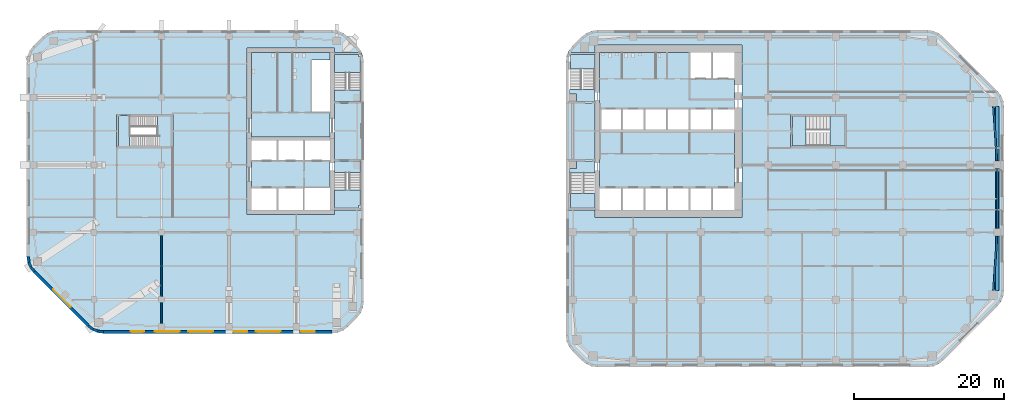
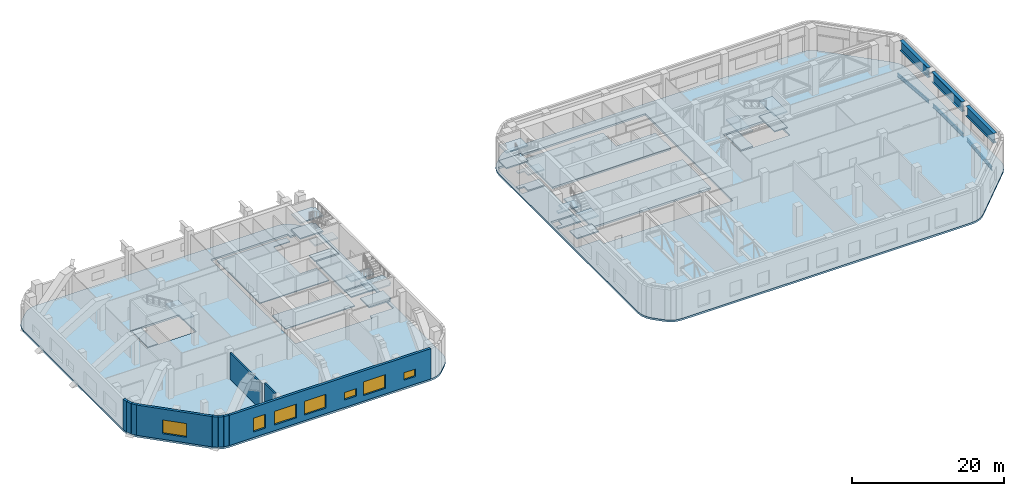
# One storey, part 11 of 23: 28 slabs, 10 walls, 7 windows, 6 beams, 7 openings, 6 elements without a shape of their own.
"""IFC4 building model written with IfcOpenShell, lengths in metres."""

from ifc_helpers import new_model, si_unit, direction, frame, frame_2d, origin, origin_2d, place, context, subcontext, project, spatial, polyline, rectangle, i_section, outline, extrude, material, layer, layer_set, material_profile, profile_set, type_object, element, fill, aggregate, save


model = new_model("IFC4")

# Units and contexts
model_context = context("Model", 3, precision=1e-05, world=origin(), true_north=direction((0.0, 1.0)))
body_context = subcontext(model_context, "Body", "Model", "MODEL_VIEW")
ifc_project = project(units=[si_unit("LENGTHUNIT", "METRE"), si_unit("AREAUNIT", "SQUARE_METRE"), si_unit("VOLUMEUNIT", "CUBIC_METRE"), si_unit("PLANEANGLEUNIT", "RADIAN"), si_unit("MASSUNIT", "GRAM", prefix="KILO")], contexts=[model_context])

# Site, building, storey
site_placement = place(None, origin())
site = spatial("IfcSite", under=ifc_project, at=site_placement, CompositionType="ELEMENT")
building_placement = place(site_placement, origin())
building = spatial("IfcBuilding", under=site, at=building_placement, Name="Cinnabar Reach Civic Tower", CompositionType="ELEMENT")
storey_placement = place(building_placement, frame((0.0, 0.0, 46.0)))
storey = spatial("IfcBuildingStorey", under=building, at=storey_placement, Name="L10", CompositionType="ELEMENT", Elevation=46.0)

# Beams
ifc_material_1 = material(Name="Steel Q355B", Category="steel")
ifc_material_profile_1 = material_profile(ifc_material_1, i_section(OverallWidth=0.5, OverallDepth=1.6, WebThickness=0.025, FlangeThickness=0.04, at=origin_2d()), Name="BH1600x500x25x40")
ifc_profile_set_1 = profile_set([ifc_material_profile_1], Name="Steel Q355B")
beam_type_1 = type_object("IfcBeamType", Name="BELT BH1600x500x25x40 R 240", PredefinedType="BEAM", material=ifc_profile_set_1)
beam_1_placement = place(storey_placement, frame((57.6, 34.7961, 4.05), z_axis=(0.0, -1.0, 0.0), x_axis=(1.0, 0.0, 0.0)))
element("IfcBeam", 1, at=beam_1_placement, inside=storey, type_object=beam_type_1, Name="BELT girder T1-L10-BG", PredefinedType="BEAM", context=body_context, shape_type="SweptSolid", body=[
    extrude(i_section(OverallWidth=0.5, OverallDepth=1.6, WebThickness=0.025, FlangeThickness=0.04, at=origin_2d()), origin(), (0.0, 0.0, 1.0), 7.2941),
])
beam_2_placement = place(storey_placement, frame((57.6, 26.498, 4.05), z_axis=(0.0, -1.0, 0.0), x_axis=(1.0, 0.0, 0.0)))
element("IfcBeam", 2, at=beam_2_placement, inside=storey, type_object=beam_type_1, Name="BELT girder T1-L10-BG", PredefinedType="BEAM", context=body_context, shape_type="SweptSolid", body=[
    extrude(i_section(OverallWidth=0.5, OverallDepth=1.6, WebThickness=0.025, FlangeThickness=0.04, at=origin_2d()), origin(), (0.0, 0.0, 1.0), 7.996),
])
beam_3_placement = place(storey_placement, frame((57.6, 17.498, 4.05), z_axis=(0.0, -1.0, 0.0), x_axis=(1.0, 0.0, 0.0)))
element("IfcBeam", 3, at=beam_3_placement, inside=storey, type_object=beam_type_1, Name="BELT girder T1-L10-BG", PredefinedType="BEAM", context=body_context, shape_type="SweptSolid", body=[
    extrude(i_section(OverallWidth=0.5, OverallDepth=1.6, WebThickness=0.025, FlangeThickness=0.04, at=origin_2d()), origin(), (0.0, 0.0, 1.0), 7.2941),
])
ifc_material_profile_2 = material_profile(ifc_material_1, i_section(OverallWidth=0.2, OverallDepth=0.6, WebThickness=0.011, FlangeThickness=0.017, FilletRadius=0.016, at=origin_2d()), Name="HN600x200x11x17")
ifc_profile_set_2 = profile_set([ifc_material_profile_2], Name="Steel Q355B")
beam_type_2 = type_object("IfcBeamType", Name="HN600x200x11x17 beam R 180", PredefinedType="BEAM", material=ifc_profile_set_2)
beam_4_placement = place(storey_placement, frame((57.0786, 10.0839, -0.6), z_axis=(0.065718615968, 0.997838195057, 0.0), x_axis=(-0.997838195057, 0.065718615968, 0.0)))
element("IfcBeam", 4, at=beam_4_placement, inside=storey, type_object=beam_type_2, Name="Edge beam T1 L10 9", PredefinedType="BEAM", context=body_context, shape_type="SweptSolid", body=[
    extrude(i_section(OverallWidth=0.2, OverallDepth=0.6, WebThickness=0.011, FlangeThickness=0.017, FilletRadius=0.016, at=origin_2d()), origin(), (0.0, 0.0, 1.0), 7.4302),
])
beam_5_placement = place(storey_placement, frame((57.6, 18.502, -0.6), z_axis=(0.0, 1.0, 0.0), x_axis=(-1.0, 0.0, 0.0)))
element("IfcBeam", 5, at=beam_5_placement, inside=storey, type_object=beam_type_2, Name="Edge beam T1 L10 10", PredefinedType="BEAM", context=body_context, shape_type="SweptSolid", body=[
    extrude(i_section(OverallWidth=0.2, OverallDepth=0.6, WebThickness=0.011, FlangeThickness=0.017, FilletRadius=0.016, at=origin_2d()), origin(), (0.0, 0.0, 1.0), 7.996),
])
beam_6_placement = place(storey_placement, frame((57.5669, 27.502, -0.6), z_axis=(-0.065718615968, 0.997838195057, 0.0), x_axis=(-0.997838195057, -0.065718615968, 0.0)))
element("IfcBeam", 6, at=beam_6_placement, inside=storey, type_object=beam_type_2, Name="Edge beam T1 L10 11", PredefinedType="BEAM", context=body_context, shape_type="SweptSolid", body=[
    extrude(i_section(OverallWidth=0.2, OverallDepth=0.6, WebThickness=0.011, FlangeThickness=0.017, FilletRadius=0.016, at=origin_2d()), origin(), (0.0, 0.0, 1.0), 7.4302),
])

# Slabs
ifc_material_2 = material(Name="Concrete C40", Category="concrete")
ifc_layer_1 = layer(ifc_material_2, 0.3)
ifc_layer_set_1 = layer_set([ifc_layer_1], Name="Refuge floor slab 300 REI 120")
slab_type_1 = type_object("IfcSlabType", Name="Refuge floor slab 300 REI 120", PredefinedType="FLOOR", material=ifc_layer_set_1)
slab_1_placement = place(storey_placement, frame((0.0, 0.0, -0.3)))
element("IfcSlab", 7, at=slab_1_placement, inside=storey, type_object=slab_type_1, Name="Refuge floor slab 300 T2 L10", PredefinedType="FLOOR", context=body_context, shape_type="SweptSolid", body=[
    extrude(outline(polyline([(-71.1213, 12.6213), (-71.5981, 13.2426), (-71.8978, 13.9662), (-72.0, 14.7426), (-72.0, 40.7574), (-71.8978, 41.5338), (-71.5981, 42.2574), (-71.1213, 42.8787), (-69.8787, 44.1213), (-69.2574, 44.5981), (-68.5338, 44.8978), (-67.7574, 45.0), (-31.2426, 45.0), (-30.4662, 44.8978), (-29.7426, 44.5981), (-29.1213, 44.1213), (-27.8787, 42.8787), (-27.4019, 42.2574), (-27.1022, 41.5338), (-27.0, 40.7574), (-27.0, 8.7426), (-27.1022, 7.9662), (-27.4019, 7.2426), (-27.8787, 6.6213), (-29.1213, 5.3787), (-29.7426, 4.9019), (-30.4662, 4.6022), (-31.2426, 4.5), (-61.7574, 4.5), (-62.5338, 4.6022), (-63.2574, 4.9019), (-63.8787, 5.3787), (-71.1213, 12.6213)]), holes=[polyline([(-30.9, 27.75), (-30.9, 35.25), (-27.36, 35.25), (-27.36, 40.7338), (-27.453, 41.4398), (-27.685, 42.0), (-30.9, 42.0), (-30.9, 42.6), (-42.6, 42.6), (-42.6, 20.4), (-30.9, 20.4), (-30.9, 21.0), (-27.36, 21.0), (-27.36, 27.75), (-30.9, 27.75)]), polyline([(-60.0, 33.75), (-60.0, 29.25), (-52.5, 29.25), (-52.5, 33.75), (-60.0, 33.75)])]), origin(), (0.0, 0.0, 1.0), 0.3),
])
ifc_layer_2 = layer(ifc_material_2, 0.3)
ifc_layer_set_2 = layer_set([ifc_layer_2], Name="Refuge floor slab 300 REI 150")
slab_type_2 = type_object("IfcSlabType", Name="Refuge floor slab 300 REI 150", PredefinedType="FLOOR", material=ifc_layer_set_2)
slab_2_placement = place(storey_placement, frame((0.0, 0.0, -0.3)))
element("IfcSlab", 8, at=slab_2_placement, inside=storey, type_object=slab_type_2, Name="Refuge floor slab 300 T1 L10", PredefinedType="FLOOR", context=body_context, shape_type="SweptSolid", body=[
    extrude(outline(polyline([(0.8787, 2.1213), (0.4019, 2.7426), (0.1022, 3.4662), (0.0, 4.2426), (0.0, 40.7574), (0.1022, 41.5338), (0.4019, 42.2574), (0.8787, 42.8787), (2.1213, 44.1213), (2.7426, 44.5981), (3.4662, 44.8978), (4.2426, 45.0), (48.2574, 45.0), (49.0338, 44.8978), (49.7574, 44.5981), (50.3787, 44.1213), (57.6213, 36.8787), (58.0981, 36.2574), (58.3978, 35.5338), (58.5, 34.7574), (58.5, 10.2426), (58.3978, 9.4662), (58.0981, 8.7426), (57.6213, 8.1213), (50.3787, 0.8787), (49.7574, 0.4019), (49.0338, 0.1022), (48.2574, 0.0), (4.2426, 0.0), (3.4662, 0.1022), (2.7426, 0.4019), (2.1213, 0.8787), (0.8787, 2.1213)]), holes=[polyline([(0.36, 21.0), (3.9, 21.0), (3.9, 20.0), (23.5, 20.0), (23.5, 43.0), (3.9, 43.0), (3.9, 42.0), (0.685, 42.0), (0.453, 41.4398), (0.36, 40.7338), (0.36, 35.25), (3.9, 35.25), (3.9, 27.75), (0.36, 27.75), (0.36, 21.0)]), polyline([(30.0, 33.75), (30.0, 29.25), (37.5, 29.25), (37.5, 33.75), (30.0, 33.75)])]), origin(), (0.0, 0.0, 1.0), 0.3),
])

# Stair, slabs
ifc_material_3 = material(Name="Concrete C40/50", Category="concrete")
stair_type_1 = type_object("IfcStairType", Name="T1 Exit stair, double return", PredefinedType="DOUBLE_RETURN_STAIR", material=ifc_material_3)
stair_1_placement = place(storey_placement, origin())
stair_1 = element("IfcStair", 9, at=stair_1_placement, inside=storey, type_object=stair_type_1, Name="Stair T1-S1", PredefinedType="DOUBLE_RETURN_STAIR")
ifc_layer_3 = layer(ifc_material_3, 0.2)
ifc_layer_set_3 = layer_set([ifc_layer_3], Name="T1 Stair landing 200, Concrete C40/50")
slab_type_3 = type_object("IfcSlabType", Name="T1 Stair landing 200, Concrete C40/50", PredefinedType="LANDING", material=ifc_layer_set_3)
slab_3_placement = place(storey_placement, frame((0.0, 0.0, -0.2)))
slab_3 = element("IfcSlab", 10, at=slab_3_placement, type_object=slab_type_3, Name="T1-S1 landing 1", PredefinedType="LANDING", context=body_context, shape_type="SweptSolid", body=[
    extrude(outline(polyline([(3.9, 27.5), (3.9, 25.95), (0.5, 25.95), (0.5, 26.5), (1.4, 26.5), (1.4, 27.5), (3.9, 27.5)])), origin(), (0.0, 0.0, 1.0), 0.2),
])
slab_4_placement = place(storey_placement, frame((0.0, 0.0, 1.05)))
slab_4 = element("IfcSlab", 11, at=slab_4_placement, type_object=slab_type_3, Name="T1-S1 landing 2", PredefinedType="LANDING", context=body_context, shape_type="SweptSolid", body=[
    extrude(outline(polyline([(0.6, 21.25), (0.6, 23.205), (3.9, 23.205), (3.9, 21.25), (0.6, 21.25)])), origin(), (0.0, 0.0, 1.0), 0.2),
])
slab_5_placement = place(storey_placement, frame((0.0, 0.0, 2.3)))
slab_5 = element("IfcSlab", 12, at=slab_5_placement, type_object=slab_type_3, Name="T1-S1 landing 3", PredefinedType="LANDING", context=body_context, shape_type="SweptSolid", body=[
    extrude(outline(polyline([(3.9, 27.5), (3.9, 25.95), (0.5, 25.95), (0.5, 26.5), (1.4, 26.5), (1.4, 27.5), (3.9, 27.5)])), origin(), (0.0, 0.0, 1.0), 0.2),
])
slab_6_placement = place(storey_placement, frame((0.0, 0.0, 3.55)))
slab_6 = element("IfcSlab", 13, at=slab_6_placement, type_object=slab_type_3, Name="T1-S1 landing 4", PredefinedType="LANDING", context=body_context, shape_type="SweptSolid", body=[
    extrude(outline(polyline([(0.6, 21.25), (0.6, 23.205), (3.9, 23.205), (3.9, 21.25), (0.6, 21.25)])), origin(), (0.0, 0.0, 1.0), 0.2),
])
aggregate(stair_1, [slab_3, slab_4, slab_5, slab_6])

stair_2_placement = place(storey_placement, origin())
stair_2 = element("IfcStair", 14, at=stair_2_placement, inside=storey, type_object=stair_type_1, Name="Stair T1-S2", PredefinedType="DOUBLE_RETURN_STAIR")
slab_7_placement = place(storey_placement, frame((0.0, 0.0, -0.2)))
slab_7 = element("IfcSlab", 15, at=slab_7_placement, type_object=slab_type_3, Name="T1-S2 landing 1", PredefinedType="LANDING", context=body_context, shape_type="SweptSolid", body=[
    extrude(outline(polyline([(0.5, 37.05), (3.9, 37.05), (3.9, 35.5), (1.4, 35.5), (1.4, 36.5), (0.5, 36.5), (0.5, 37.05)])), origin(), (0.0, 0.0, 1.0), 0.2),
])
slab_8_placement = place(storey_placement, frame((0.0, 0.0, 1.05)))
slab_8 = element("IfcSlab", 16, at=slab_8_placement, type_object=slab_type_3, Name="T1-S2 landing 2", PredefinedType="LANDING", context=body_context, shape_type="SweptSolid", body=[
    extrude(outline(polyline([(0.6, 39.795), (0.6, 41.75), (3.9, 41.75), (3.9, 39.795), (0.6, 39.795)])), origin(), (0.0, 0.0, 1.0), 0.2),
])
slab_9_placement = place(storey_placement, frame((0.0, 0.0, 2.3)))
slab_9 = element("IfcSlab", 17, at=slab_9_placement, type_object=slab_type_3, Name="T1-S2 landing 3", PredefinedType="LANDING", context=body_context, shape_type="SweptSolid", body=[
    extrude(outline(polyline([(0.5, 37.05), (3.9, 37.05), (3.9, 35.5), (1.4, 35.5), (1.4, 36.5), (0.5, 36.5), (0.5, 37.05)])), origin(), (0.0, 0.0, 1.0), 0.2),
])
slab_10_placement = place(storey_placement, frame((0.0, 0.0, 3.55)))
slab_10 = element("IfcSlab", 18, at=slab_10_placement, type_object=slab_type_3, Name="T1-S2 landing 4", PredefinedType="LANDING", context=body_context, shape_type="SweptSolid", body=[
    extrude(outline(polyline([(0.6, 39.795), (0.6, 41.75), (3.9, 41.75), (3.9, 39.795), (0.6, 39.795)])), origin(), (0.0, 0.0, 1.0), 0.2),
])
aggregate(stair_2, [slab_7, slab_8, slab_9, slab_10])

stair_3_placement = place(storey_placement, origin())
stair_3 = element("IfcStair", 19, at=stair_3_placement, inside=storey, type_object=stair_type_1, Name="Stair T1-S3", PredefinedType="DOUBLE_RETURN_STAIR")
slab_11_placement = place(storey_placement, frame((0.0, 0.0, -0.2)))
slab_11 = element("IfcSlab", 20, at=slab_11_placement, type_object=slab_type_3, Name="T1-S3 landing 1", PredefinedType="LANDING", context=body_context, shape_type="SweptSolid", body=[
    extrude(outline(polyline([(30.25, 29.5), (32.05, 29.5), (32.05, 33.5), (30.25, 33.5), (30.25, 29.5)])), origin(), (0.0, 0.0, 1.0), 0.2),
])
slab_12_placement = place(storey_placement, frame((0.0, 0.0, 1.05)))
slab_12 = element("IfcSlab", 21, at=slab_12_placement, type_object=slab_type_3, Name="T1-S3 landing 2", PredefinedType="LANDING", context=body_context, shape_type="SweptSolid", body=[
    extrude(outline(polyline([(35.29, 29.5), (37.25, 29.5), (37.25, 33.5), (35.29, 33.5), (35.29, 29.5)])), origin(), (0.0, 0.0, 1.0), 0.2),
])
slab_13_placement = place(storey_placement, frame((0.0, 0.0, 2.3)))
slab_13 = element("IfcSlab", 22, at=slab_13_placement, type_object=slab_type_3, Name="T1-S3 landing 3", PredefinedType="LANDING", context=body_context, shape_type="SweptSolid", body=[
    extrude(outline(polyline([(30.25, 29.5), (32.05, 29.5), (32.05, 33.5), (30.25, 33.5), (30.25, 29.5)])), origin(), (0.0, 0.0, 1.0), 0.2),
])
slab_14_placement = place(storey_placement, frame((0.0, 0.0, 3.55)))
slab_14 = element("IfcSlab", 23, at=slab_14_placement, type_object=slab_type_3, Name="T1-S3 landing 4", PredefinedType="LANDING", context=body_context, shape_type="SweptSolid", body=[
    extrude(outline(polyline([(35.29, 29.5), (37.25, 29.5), (37.25, 33.5), (35.29, 33.5), (35.29, 29.5)])), origin(), (0.0, 0.0, 1.0), 0.2),
])
aggregate(stair_3, [slab_11, slab_12, slab_13, slab_14])

# Slabs
ifc_layer_4 = layer(ifc_material_3, 0.3)
ifc_layer_set_4 = layer_set([ifc_layer_4], Name="T1 core floor slab 300")
slab_type_4 = type_object("IfcSlabType", Name="T1 core floor slab 300", PredefinedType="FLOOR", material=ifc_layer_set_4)
slab_15_placement = place(storey_placement, frame((0.0, 0.0, -0.3)))
element("IfcSlab", 24, at=slab_15_placement, inside=storey, type_object=slab_type_4, Name="Core floor slab L10", PredefinedType="FLOOR", context=body_context, shape_type="SweptSolid", body=[
    extrude(outline(polyline([(22.5, 24.0), (19.5, 24.0), (16.5, 24.0), (13.5, 24.0), (10.5, 24.0), (7.5, 24.0), (4.5, 24.0), (4.5, 31.5), (7.5, 31.5), (10.5, 31.5), (13.5, 31.5), (16.5, 31.5), (19.5, 31.5), (22.5, 31.5), (22.5, 24.0)])), origin(), (0.0, 0.0, 1.0), 0.3),
])
slab_16_placement = place(storey_placement, frame((0.0, 0.0, -0.3)))
element("IfcSlab", 25, at=slab_16_placement, inside=storey, type_object=slab_type_4, Name="Core floor slab L10", PredefinedType="FLOOR", context=body_context, shape_type="SweptSolid", body=[
    extrude(outline(polyline([(22.5, 34.5), (19.5, 34.5), (16.5, 34.5), (13.5, 34.5), (10.5, 34.5), (7.5, 34.5), (4.5, 34.5), (4.5, 42.0), (16.5, 42.0), (16.5, 38.5), (19.5, 38.5), (22.5, 38.5), (22.5, 34.5)])), origin(), (0.0, 0.0, 1.0), 0.3),
])
ifc_layer_5 = layer(ifc_material_2, 0.15)
ifc_layer_set_5 = layer_set([ifc_layer_5], Name="T2 Core floor slab 150")
slab_type_5 = type_object("IfcSlabType", Name="T2 Core floor slab 150", PredefinedType="FLOOR", material=ifc_layer_set_5)
slab_17_placement = place(storey_placement, frame((0.0, 0.0, -0.15)))
element("IfcSlab", 26, at=slab_17_placement, inside=storey, type_object=slab_type_5, Name="Core floor slab L10", PredefinedType="FLOOR", context=body_context, shape_type="SweptSolid", body=[
    extrude(outline(polyline([(-42.0, 42.0), (-31.5, 42.0), (-31.5, 41.0), (-34.0, 41.0), (-34.0, 34.0), (-31.5, 34.0), (-31.5, 30.75), (-42.0, 30.75), (-42.0, 42.0)])), origin(), (0.0, 0.0, 1.0), 0.15),
])
slab_18_placement = place(storey_placement, frame((0.0, 0.0, -0.15)))
element("IfcSlab", 27, at=slab_18_placement, inside=storey, type_object=slab_type_5, Name="Core floor slab L10", PredefinedType="FLOOR", context=body_context, shape_type="SweptSolid", body=[
    extrude(outline(polyline([(-35.0, 24.0), (-38.5, 24.0), (-42.0, 24.0), (-42.0, 27.5), (-38.5, 27.5), (-35.0, 27.5), (-31.5, 27.5), (-31.5, 24.0), (-35.0, 24.0)])), origin(), (0.0, 0.0, 1.0), 0.15),
])

# Stair, slabs
stair_type_2 = type_object("IfcStairType", Name="T2 Exit stair 1500", PredefinedType="HALF_TURN_STAIR", material=ifc_material_2)
stair_4_placement = place(storey_placement, origin())
stair_4 = element("IfcStair", 28, at=stair_4_placement, inside=storey, type_object=stair_type_2, Name="Exit stair 1", PredefinedType="HALF_TURN_STAIR")
ifc_layer_6 = layer(ifc_material_2, 0.2)
ifc_layer_set_6 = layer_set([ifc_layer_6], Name="T2 Stair landing 200")
slab_type_6 = type_object("IfcSlabType", Name="T2 Stair landing 200", PredefinedType="LANDING", material=ifc_layer_set_6)
slab_19_placement = place(storey_placement, frame((0.0, 0.0, -0.2)))
slab_19 = element("IfcSlab", 29, at=slab_19_placement, type_object=slab_type_6, Name="ST1 landing 1", PredefinedType="LANDING", context=body_context, shape_type="SweptSolid", body=[
    extrude(outline(polyline([(-30.9, 26.0), (-30.9, 27.5), (-27.4, 27.5), (-27.4, 26.0), (-30.9, 26.0)])), origin(), (0.0, 0.0, 1.0), 0.2),
])
slab_20_placement = place(storey_placement, frame((0.0, 0.0, 1.05)))
slab_20 = element("IfcSlab", 30, at=slab_20_placement, type_object=slab_type_6, Name="ST1 landing 2", PredefinedType="LANDING", context=body_context, shape_type="SweptSolid", body=[
    extrude(outline(polyline([(-30.9, 21.25), (-30.9, 23.6375), (-27.4, 23.6375), (-27.4, 21.55), (-27.7, 21.55), (-27.7, 21.25), (-30.9, 21.25)])), origin(), (0.0, 0.0, 1.0), 0.2),
])
slab_21_placement = place(storey_placement, frame((0.0, 0.0, 2.3)))
slab_21 = element("IfcSlab", 31, at=slab_21_placement, type_object=slab_type_6, Name="ST1 landing 3", PredefinedType="LANDING", context=body_context, shape_type="SweptSolid", body=[
    extrude(outline(polyline([(-30.9, 26.0), (-30.9, 27.5), (-27.4, 27.5), (-27.4, 26.0), (-30.9, 26.0)])), origin(), (0.0, 0.0, 1.0), 0.2),
])
slab_22_placement = place(storey_placement, frame((0.0, 0.0, 3.55)))
slab_22 = element("IfcSlab", 32, at=slab_22_placement, type_object=slab_type_6, Name="ST1 landing 4", PredefinedType="LANDING", context=body_context, shape_type="SweptSolid", body=[
    extrude(outline(polyline([(-30.9, 21.25), (-30.9, 23.6375), (-27.4, 23.6375), (-27.4, 21.55), (-27.7, 21.55), (-27.7, 21.25), (-30.9, 21.25)])), origin(), (0.0, 0.0, 1.0), 0.2),
])
aggregate(stair_4, [slab_19, slab_20, slab_21, slab_22])

stair_5_placement = place(storey_placement, origin())
stair_5 = element("IfcStair", 33, at=stair_5_placement, inside=storey, type_object=stair_type_2, Name="Exit stair 2", PredefinedType="HALF_TURN_STAIR")
slab_23_placement = place(storey_placement, frame((0.0, 0.0, -0.2)))
slab_23 = element("IfcSlab", 34, at=slab_23_placement, type_object=slab_type_6, Name="ST2 landing 1", PredefinedType="LANDING", context=body_context, shape_type="SweptSolid", body=[
    extrude(outline(polyline([(-30.9, 35.5), (-30.9, 37.0), (-27.4, 37.0), (-27.4, 35.5), (-30.9, 35.5)])), origin(), (0.0, 0.0, 1.0), 0.2),
])
slab_24_placement = place(storey_placement, frame((0.0, 0.0, 1.05)))
slab_24 = element("IfcSlab", 35, at=slab_24_placement, type_object=slab_type_6, Name="ST2 landing 2", PredefinedType="LANDING", context=body_context, shape_type="SweptSolid", body=[
    extrude(outline(polyline([(-27.4, 39.3625), (-30.9, 39.3625), (-30.9, 41.75), (-27.7, 41.75), (-27.7, 41.45), (-27.4, 41.45), (-27.4, 39.3625)])), origin(), (0.0, 0.0, 1.0), 0.2),
])
slab_25_placement = place(storey_placement, frame((0.0, 0.0, 2.3)))
slab_25 = element("IfcSlab", 36, at=slab_25_placement, type_object=slab_type_6, Name="ST2 landing 3", PredefinedType="LANDING", context=body_context, shape_type="SweptSolid", body=[
    extrude(outline(polyline([(-30.9, 35.5), (-30.9, 37.0), (-27.4, 37.0), (-27.4, 35.5), (-30.9, 35.5)])), origin(), (0.0, 0.0, 1.0), 0.2),
])
slab_26_placement = place(storey_placement, frame((0.0, 0.0, 3.55)))
slab_26 = element("IfcSlab", 37, at=slab_26_placement, type_object=slab_type_6, Name="ST2 landing 4", PredefinedType="LANDING", context=body_context, shape_type="SweptSolid", body=[
    extrude(outline(polyline([(-27.4, 39.3625), (-30.9, 39.3625), (-30.9, 41.75), (-27.7, 41.75), (-27.7, 41.45), (-27.4, 41.45), (-27.4, 39.3625)])), origin(), (0.0, 0.0, 1.0), 0.2),
])
aggregate(stair_5, [slab_23, slab_24, slab_25, slab_26])

stair_6_placement = place(storey_placement, origin())
stair_6 = element("IfcStair", 38, at=stair_6_placement, inside=storey, type_object=stair_type_2, Name="Exit stair 3", PredefinedType="HALF_TURN_STAIR")
slab_27_placement = place(storey_placement, frame((0.0, 0.0, -0.2)))
slab_27 = element("IfcSlab", 39, at=slab_27_placement, type_object=slab_type_6, Name="ST3 landing 1", PredefinedType="LANDING", context=body_context, shape_type="SweptSolid", body=[
    extrude(outline(polyline([(-59.75, 29.375), (-59.75, 33.625), (-58.25, 33.625), (-58.25, 29.375), (-59.75, 29.375)])), origin(), (0.0, 0.0, 1.0), 0.2),
])
slab_28_placement = place(storey_placement, frame((0.0, 0.0, 2.3862)))
slab_28 = element("IfcSlab", 40, at=slab_28_placement, type_object=slab_type_6, Name="ST3 landing 2", PredefinedType="LANDING", context=body_context, shape_type="SweptSolid", body=[
    extrude(outline(polyline([(-54.5357, 29.375), (-54.5357, 33.625), (-52.75, 33.625), (-52.75, 29.375), (-54.5357, 29.375)])), origin(), (0.0, 0.0, 1.0), 0.2),
])
aggregate(stair_6, [slab_27, slab_28])

# Walls
ifc_material_4 = material(Name="Facing brick with insulated backing", Category="masonry")
ifc_layer_7 = layer(ifc_material_4, 0.36)
ifc_layer_set_7 = layer_set([ifc_layer_7], Name="Brick corner wall")
wall_type_1 = type_object("IfcWallType", Name="Brick corner wall", PredefinedType="STANDARD", material=ifc_layer_set_7)
for number, where, z_axis, x_axis, name in (
    (41, (-71.817, 14.7314, 0.0), (0.0, 0.0, 1.0), (0.13055608231, -0.99144092581, 0.0), "Brick corner wall"),
    (42, (-71.7181, 14.0027, 0.0), (0.0, 0.0, 1.0), (0.382702709855, -0.923871547278, 0.0), "Brick corner wall"),
):
    element("IfcWall", number, at=place(storey_placement, frame(where, z_axis=z_axis, x_axis=x_axis)), inside=storey, type_object=wall_type_1, Name=name, PredefinedType="STANDARD", context=body_context, shape_type="SweptSolid", body=[
        extrude(rectangle(XDim=0.7131, YDim=0.36, at=frame_2d((0.3565, 0.0))), origin(), (0.0, 0.0, 1.0), 4.85),
    ])
for number, where, z_axis, x_axis, name in (
    (43, (-71.434, 13.3245, 0.0), (0.0, 0.0, 1.0), (0.608802368033, -0.793321924995, 0.0), "Brick corner wall"),
    (44, (-63.7413, 5.5002, 0.0), (0.0, 0.0, 1.0), (0.793321924995, -0.608802368033, 0.0), "Brick corner wall"),
):
    element("IfcWall", number, at=place(storey_placement, frame(where, z_axis=z_axis, x_axis=x_axis)), inside=storey, type_object=wall_type_1, Name=name, PredefinedType="STANDARD", context=body_context, shape_type="SweptSolid", body=[
        extrude(rectangle(XDim=0.7132, YDim=0.36, at=frame_2d((0.3566, 0.0))), origin(), (0.0, 0.0, 1.0), 4.85),
    ])
for number, where, z_axis, x_axis, name in (
    (45, (-63.1561, 5.0548, 0.0), (0.0, 0.0, 1.0), (0.923871547278, -0.382702709855, 0.0), "Brick corner wall"),
    (46, (-62.4756, 4.7761, 0.0), (0.0, 0.0, 1.0), (0.99144092581, -0.13055608231, 0.0), "Brick corner wall"),
):
    element("IfcWall", number, at=place(storey_placement, frame(where, z_axis=z_axis, x_axis=x_axis)), inside=storey, type_object=wall_type_1, Name=name, PredefinedType="STANDARD", context=body_context, shape_type="SweptSolid", body=[
        extrude(rectangle(XDim=0.7131, YDim=0.36, at=frame_2d((0.3565, 0.0))), origin(), (0.0, 0.0, 1.0), 4.85),
    ])

# Wall, openings, windows
ifc_layer_8 = layer(ifc_material_4, 0.36)
ifc_layer_set_8 = layer_set([ifc_layer_8], Name="Brick pier and spandrel wall")
wall_type_2 = type_object("IfcWallType", Name="Brick pier and spandrel wall", PredefinedType="STANDARD", material=ifc_layer_set_8)
wall_1_placement = place(storey_placement, frame((-61.7574, 4.68, 0.0), z_axis=(0.0, 0.0, 1.0), x_axis=(1.0, 0.0, 0.0)))
wall_1 = element("IfcWall", 47, at=wall_1_placement, inside=storey, type_object=wall_type_2, Name="Brick facade wall", PredefinedType="STANDARD", context=body_context, shape_type="SweptSolid", body=[
    extrude(rectangle(XDim=30.5148, YDim=0.36, at=frame_2d((15.2574, 0.0))), origin(), (0.0, 0.0, 1.0), 4.85),
])
opening_1_placement = place(wall_1_placement, frame((3.6318, 0.0, 0.9)))
opening_1 = element("IfcOpeningElement", 48, at=opening_1_placement, cuts=wall_1, Name="Opening W2460", PredefinedType="OPENING", context=body_context, shape_type="SweptSolid", body=[
    extrude(rectangle(XDim=1.8, YDim=2.2, at=frame_2d((0.9, 1.1))), frame((0.0, 0.19, 0.0), z_axis=(0.0, -1.0, 0.0), x_axis=(1.0, 0.0, 0.0)), (0.0, 0.0, 1.0), 0.38),
])
opening_2_placement = place(wall_1_placement, frame((6.8574, 0.0, 0.9)))
opening_2 = element("IfcOpeningElement", 49, at=opening_2_placement, cuts=wall_1, Name="Opening W2461", PredefinedType="OPENING", context=body_context, shape_type="SweptSolid", body=[
    extrude(rectangle(XDim=3.3, YDim=2.2, at=frame_2d((1.65, 1.1))), frame((0.0, 0.19, 0.0), z_axis=(0.0, -1.0, 0.0), x_axis=(1.0, 0.0, 0.0)), (0.0, 0.0, 1.0), 0.38),
])
opening_3_placement = place(wall_1_placement, frame((11.3574, 0.0, 0.9)))
opening_3 = element("IfcOpeningElement", 50, at=opening_3_placement, cuts=wall_1, Name="Opening W2462", PredefinedType="OPENING", context=body_context, shape_type="SweptSolid", body=[
    extrude(rectangle(XDim=3.3, YDim=2.2, at=frame_2d((1.65, 1.1))), frame((0.0, 0.19, 0.0), z_axis=(0.0, -1.0, 0.0), x_axis=(1.0, 0.0, 0.0)), (0.0, 0.0, 1.0), 0.38),
])
opening_4_placement = place(wall_1_placement, frame((17.4324, 0.0, 1.2)))
opening_4 = element("IfcOpeningElement", 51, at=opening_4_placement, cuts=wall_1, Name="Opening W2463", PredefinedType="OPENING", context=body_context, shape_type="SweptSolid", body=[
    extrude(rectangle(XDim=1.8, YDim=1.2, at=frame_2d((0.9, 0.6))), frame((0.0, 0.19, 0.0), z_axis=(0.0, -1.0, 0.0), x_axis=(1.0, 0.0, 0.0)), (0.0, 0.0, 1.0), 0.38),
])
opening_5_placement = place(wall_1_placement, frame((20.3574, 0.0, 0.9)))
opening_5 = element("IfcOpeningElement", 52, at=opening_5_placement, cuts=wall_1, Name="Opening W2464", PredefinedType="OPENING", context=body_context, shape_type="SweptSolid", body=[
    extrude(rectangle(XDim=3.3, YDim=2.2, at=frame_2d((1.65, 1.1))), frame((0.0, 0.19, 0.0), z_axis=(0.0, -1.0, 0.0), x_axis=(1.0, 0.0, 0.0)), (0.0, 0.0, 1.0), 0.38),
])
opening_6_placement = place(wall_1_placement, frame((26.4324, 0.0, 1.2)))
opening_6 = element("IfcOpeningElement", 53, at=opening_6_placement, cuts=wall_1, Name="Opening W2465", PredefinedType="OPENING", context=body_context, shape_type="SweptSolid", body=[
    extrude(rectangle(XDim=1.8, YDim=1.2, at=frame_2d((0.9, 0.6))), frame((0.0, 0.19, 0.0), z_axis=(0.0, -1.0, 0.0), x_axis=(1.0, 0.0, 0.0)), (0.0, 0.0, 1.0), 0.38),
])
ifc_material_5 = material(Name="Clear double glazing in aluminium frame", Category="aluminium")
window_type_1 = type_object("IfcWindowType", Name="Deep-set window B", PartitioningType="SINGLE_PANEL", PredefinedType="WINDOW", material=ifc_material_5)
window_1_placement = place(opening_2_placement, origin())
window_1 = element("IfcWindow", 54, at=window_1_placement, inside=storey, type_object=window_type_1, Name="Window south face", OverallHeight=2.2, OverallWidth=3.3, PartitioningType="SINGLE_PANEL", PredefinedType="WINDOW", context=body_context, shape_type="SweptSolid", body=[
    extrude(rectangle(XDim=3.3, YDim=2.2, at=frame_2d((1.65, 1.1))), frame((0.0, 0.13, 0.0), z_axis=(0.0, -1.0, 0.0), x_axis=(1.0, 0.0, 0.0)), (0.0, 0.0, 1.0), 0.06),
])
fill(opening_2, window_1)
window_2_placement = place(opening_3_placement, origin())
window_2 = element("IfcWindow", 55, at=window_2_placement, inside=storey, type_object=window_type_1, Name="Window south face", OverallHeight=2.2, OverallWidth=3.3, PartitioningType="SINGLE_PANEL", PredefinedType="WINDOW", context=body_context, shape_type="SweptSolid", body=[
    extrude(rectangle(XDim=3.3, YDim=2.2, at=frame_2d((1.65, 1.1))), frame((0.0, 0.13, 0.0), z_axis=(0.0, -1.0, 0.0), x_axis=(1.0, 0.0, 0.0)), (0.0, 0.0, 1.0), 0.06),
])
fill(opening_3, window_2)
window_3_placement = place(opening_5_placement, origin())
window_3 = element("IfcWindow", 56, at=window_3_placement, inside=storey, type_object=window_type_1, Name="Window south face", OverallHeight=2.2, OverallWidth=3.3, PartitioningType="SINGLE_PANEL", PredefinedType="WINDOW", context=body_context, shape_type="SweptSolid", body=[
    extrude(rectangle(XDim=3.3, YDim=2.2, at=frame_2d((1.65, 1.1))), frame((0.0, 0.13, 0.0), z_axis=(0.0, -1.0, 0.0), x_axis=(1.0, 0.0, 0.0)), (0.0, 0.0, 1.0), 0.06),
])
fill(opening_5, window_3)
window_type_2 = type_object("IfcWindowType", Name="Deep-set window C", PartitioningType="SINGLE_PANEL", PredefinedType="WINDOW", material=ifc_material_5)
window_4_placement = place(opening_4_placement, origin())
window_4 = element("IfcWindow", 57, at=window_4_placement, inside=storey, type_object=window_type_2, Name="Window south face", OverallHeight=1.2, OverallWidth=1.8, PartitioningType="SINGLE_PANEL", PredefinedType="WINDOW", context=body_context, shape_type="SweptSolid", body=[
    extrude(rectangle(XDim=1.8, YDim=1.2, at=frame_2d((0.9, 0.6))), frame((0.0, 0.13, 0.0), z_axis=(0.0, -1.0, 0.0), x_axis=(1.0, 0.0, 0.0)), (0.0, 0.0, 1.0), 0.06),
])
fill(opening_4, window_4)
window_5_placement = place(opening_6_placement, origin())
window_5 = element("IfcWindow", 58, at=window_5_placement, inside=storey, type_object=window_type_2, Name="Window south face", OverallHeight=1.2, OverallWidth=1.8, PartitioningType="SINGLE_PANEL", PredefinedType="WINDOW", context=body_context, shape_type="SweptSolid", body=[
    extrude(rectangle(XDim=1.8, YDim=1.2, at=frame_2d((0.9, 0.6))), frame((0.0, 0.13, 0.0), z_axis=(0.0, -1.0, 0.0), x_axis=(1.0, 0.0, 0.0)), (0.0, 0.0, 1.0), 0.06),
])
fill(opening_6, window_5)
window_type_3 = type_object("IfcWindowType", Name="Deep-set window E", PartitioningType="SINGLE_PANEL", PredefinedType="WINDOW", material=ifc_material_5)
window_6_placement = place(opening_1_placement, origin())
window_6 = element("IfcWindow", 59, at=window_6_placement, inside=storey, type_object=window_type_3, Name="Window south face", OverallHeight=2.2, OverallWidth=1.8, PartitioningType="SINGLE_PANEL", PredefinedType="WINDOW", context=body_context, shape_type="SweptSolid", body=[
    extrude(rectangle(XDim=1.8, YDim=2.2, at=frame_2d((0.9, 1.1))), frame((0.0, 0.13, 0.0), z_axis=(0.0, -1.0, 0.0), x_axis=(1.0, 0.0, 0.0)), (0.0, 0.0, 1.0), 0.06),
])
fill(opening_1, window_6)

# Wall, opening, window
wall_2_placement = place(storey_placement, frame((-70.994, 12.7486, 0.0), z_axis=(0.0, 0.0, 1.0), x_axis=(0.707106781187, -0.707106781187, 0.0)))
wall_2 = element("IfcWall", 60, at=wall_2_placement, inside=storey, type_object=wall_type_2, Name="Brick facade wall", PredefinedType="STANDARD", context=body_context, shape_type="SweptSolid", body=[
    extrude(rectangle(XDim=10.2426, YDim=0.36, at=frame_2d((5.1213, 0.0))), origin(), (0.0, 0.0, 1.0), 4.85),
])
opening_7_placement = place(wall_2_placement, frame((3.4713, 0.0, 0.9)))
opening_7 = element("IfcOpeningElement", 61, at=opening_7_placement, cuts=wall_2, Name="Opening W2481", PredefinedType="OPENING", context=body_context, shape_type="SweptSolid", body=[
    extrude(rectangle(XDim=3.3, YDim=2.2, at=frame_2d((1.65, 1.1))), frame((0.0, 0.19, 0.0), z_axis=(0.0, -1.0, 0.0), x_axis=(1.0, 0.0, 0.0)), (0.0, 0.0, 1.0), 0.38),
])
window_7_placement = place(opening_7_placement, origin())
window_7 = element("IfcWindow", 62, at=window_7_placement, inside=storey, type_object=window_type_1, Name="Window southwest face", OverallHeight=2.2, OverallWidth=3.3, PartitioningType="SINGLE_PANEL", PredefinedType="WINDOW", context=body_context, shape_type="SweptSolid", body=[
    extrude(rectangle(XDim=3.3, YDim=2.2, at=frame_2d((1.65, 1.1))), frame((0.0, 0.13, 0.0), z_axis=(0.0, -1.0, 0.0), x_axis=(1.0, 0.0, 0.0)), (0.0, 0.0, 1.0), 0.06),
])
fill(opening_7, window_7)

# Walls
ifc_layer_9 = layer(ifc_material_2, 0.2)
ifc_layer_set_9 = layer_set([ifc_layer_9], Name="Refuge compartment wall 200 T2")
wall_type_3 = type_object("IfcWallType", Name="Refuge compartment wall 200 T2", PredefinedType="PARTITIONING", material=ifc_layer_set_9)
wall_3_placement = place(storey_placement, frame((-54.0, 9.4, 0.0), z_axis=(0.0, 0.0, 1.0), x_axis=(0.0, 1.0, 0.0)))
element("IfcWall", 63, at=wall_3_placement, inside=storey, type_object=wall_type_3, Name="Refuge compartment wall 6", PredefinedType="PARTITIONING", context=body_context, shape_type="SweptSolid", body=[
    extrude(rectangle(XDim=8.2, YDim=0.2, at=frame_2d((4.1, 0.0))), origin(), (0.0, 0.0, 1.0), 4.256),
])
wall_4_placement = place(storey_placement, frame((-54.0, 5.85, 0.0), z_axis=(0.0, 0.0, 1.0), x_axis=(0.0, 1.0, 0.0)))
element("IfcWall", 64, at=wall_4_placement, inside=storey, type_object=wall_type_3, Name="Refuge compartment wall 7", PredefinedType="PARTITIONING", context=body_context, shape_type="SweptSolid", body=[
    extrude(rectangle(XDim=2.75, YDim=0.2, at=frame_2d((1.375, 0.0))), origin(), (0.0, 0.0, 1.0), 4.85),
])

save(model, "model.ifc")
